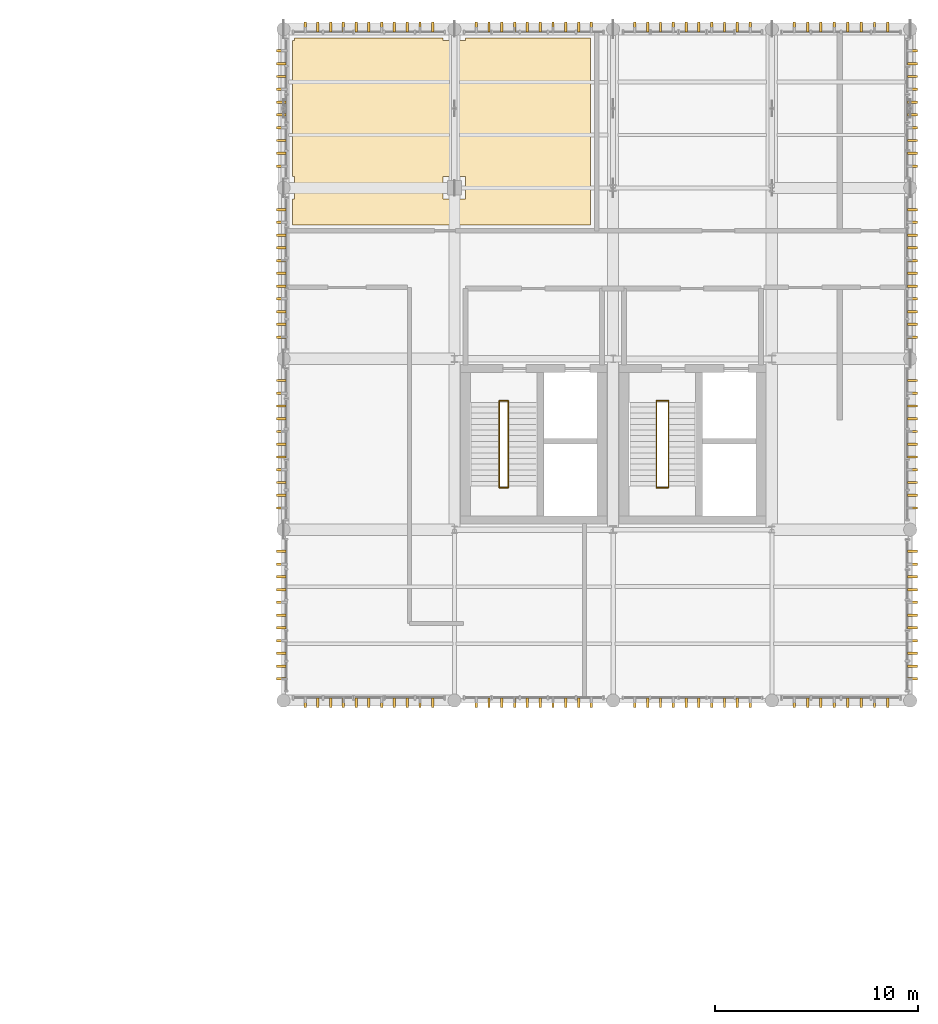
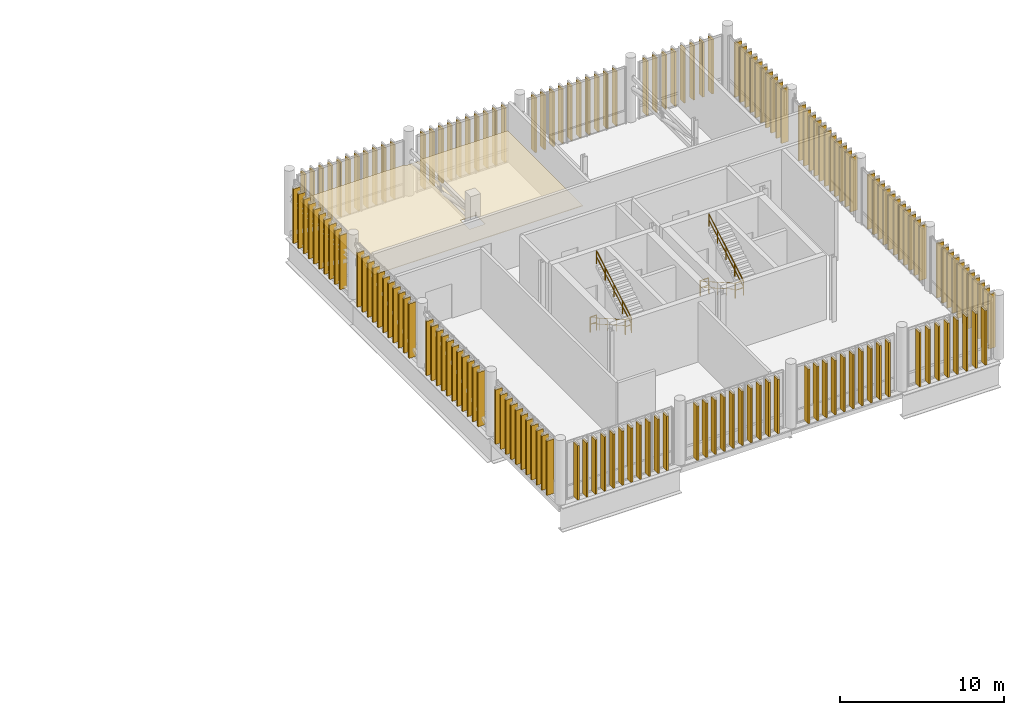
# One storey, part 79 of 81: 165 coverings, 8 railings.
"""IFC4 building model written with IfcOpenShell, lengths in metres."""

from ifc_helpers import new_model, si_unit, direction, frame, frame_2d, origin_with_axes, origin_2d_with_axis, place, context, subcontext, project, spatial, polyline, rectangle, circle, outline, extrude, material, type_object, element, save


model = new_model("IFC4")

# Units and contexts
model_context = context("Model", 3, precision=1e-05, world=origin_with_axes(), true_north=direction((0.0, 1.0)))
body_context = subcontext(model_context, "Body", "Model", "MODEL_VIEW")
ifc_project = project(units=[si_unit("LENGTHUNIT", "METRE"), si_unit("AREAUNIT", "SQUARE_METRE"), si_unit("VOLUMEUNIT", "CUBIC_METRE"), si_unit("PLANEANGLEUNIT", "RADIAN"), si_unit("MASSUNIT", "GRAM", prefix="KILO"), si_unit("THERMODYNAMICTEMPERATUREUNIT", "KELVIN")], contexts=[model_context])

# Site, building, storey
site_placement = place(None, origin_with_axes())
site = spatial("IfcSite", under=ifc_project, at=site_placement, CompositionType="ELEMENT")
building_placement = place(site_placement, origin_with_axes())
building = spatial("IfcBuilding", under=site, at=building_placement, Name="Montbau Bow Law Courts", CompositionType="ELEMENT")
storey_placement = place(building_placement, frame((0.0, 0.0, 24.9), z_axis=(0.0, 0.0, 1.0), x_axis=(1.0, 0.0, 0.0)))
storey = spatial("IfcBuildingStorey", under=building, at=storey_placement, Name="L05", CompositionType="ELEMENT", Elevation=24.9)

# Coverings
ifc_material_1 = material(Name="Micro-Perforated White-Oak Acoustic Courtroom Ceiling", Category="wood")
covering_type_1 = type_object("IfcCoveringType", Name="CV-CLG-01", PredefinedType="CEILING", material=ifc_material_1)
covering_placement = place(None, frame((0.0, 0.0, 27.44), z_axis=(0.0, 0.0, 1.0), x_axis=(1.0, 0.0, 0.0)))
element("IfcCovering", 1, at=covering_placement, inside=storey, type_object=covering_type_1, Name="CLG-L05-01:cov_3543", PredefinedType="CEILING", context=body_context, shape_type="SweptSolid", body=[
    extrude(outline(polyline([(146.45, 110.56), (146.45, 110.45), (147.55, 110.45), (147.55, 110.56), (153.69, 110.56), (153.69, 101.38), (139.04, 101.38), (139.04, 102.65), (139.15, 102.65), (139.15, 103.75), (139.04, 103.75), (139.04, 110.45), (139.15, 110.45), (139.15, 110.56), (146.45, 110.56)]), holes=[polyline([(146.45, 102.65), (147.55, 102.65), (147.55, 103.75), (146.45, 103.75), (146.45, 102.65)])]), origin_with_axes(), (0.0, 0.0, 1.0), 0.04),
])
ifc_material_2 = material(Name="Freeze-Thaw Glazed Slate-Grey Ceramic Vertical Louvre", Category="masonry")
covering_type_2 = type_object("IfcCoveringType", Name="CV-LVR-SLT", PredefinedType="CLADDING", material=ifc_material_2)
for number, where, z_axis, x_axis, name in (
    (2, (139.667, 78.13, 24.9), (-1.0, 0.0, 0.0), (0.0, -1.0, 0.0), "CLV-L05-2902:cov_2947"),
    (3, (140.293, 78.13, 24.9), (-1.0, 0.0, 0.0), (0.0, -1.0, 0.0), "CLV-L05-2903:cov_2948"),
    (4, (140.92, 78.13, 24.9), (-1.0, 0.0, 0.0), (0.0, -1.0, 0.0), "CLV-L05-2904:cov_2949"),
    (5, (141.547, 78.13, 24.9), (-1.0, 0.0, 0.0), (0.0, -1.0, 0.0), "CLV-L05-2905:cov_2950"),
    (6, (142.173, 78.13, 24.9), (-1.0, 0.0, 0.0), (0.0, -1.0, 0.0), "CLV-L05-2906:cov_2951"),
    (7, (142.8, 78.13, 24.9), (-1.0, 0.0, 0.0), (0.0, -1.0, 0.0), "CLV-L05-2907:cov_2952"),
    (8, (143.427, 78.13, 24.9), (-1.0, 0.0, 0.0), (0.0, -1.0, 0.0), "CLV-L05-2908:cov_2953"),
    (9, (144.053, 78.13, 24.9), (-1.0, 0.0, 0.0), (0.0, -1.0, 0.0), "CLV-L05-2909:cov_2954"),
    (10, (144.68, 78.13, 24.9), (-1.0, 0.0, 0.0), (0.0, -1.0, 0.0), "CLV-L05-2910:cov_2955"),
    (11, (145.307, 78.13, 24.9), (-1.0, 0.0, 0.0), (0.0, -1.0, 0.0), "CLV-L05-2911:cov_2956"),
    (12, (145.933, 78.13, 24.9), (-1.0, 0.0, 0.0), (0.0, -1.0, 0.0), "CLV-L05-2912:cov_2957"),
    (13, (148.069, 78.13, 24.9), (-1.0, 0.0, 0.0), (0.0, -1.0, 0.0), "CLV-L05-2913:cov_2958"),
    (14, (148.698, 78.13, 24.9), (-1.0, 0.0, 0.0), (0.0, -1.0, 0.0), "CLV-L05-2914:cov_2959"),
    (15, (149.327, 78.13, 24.9), (-1.0, 0.0, 0.0), (0.0, -1.0, 0.0), "CLV-L05-2915:cov_2960"),
    (16, (149.956, 78.13, 24.9), (-1.0, 0.0, 0.0), (0.0, -1.0, 0.0), "CLV-L05-2916:cov_2961"),
    (17, (150.585, 78.13, 24.9), (-1.0, 0.0, 0.0), (0.0, -1.0, 0.0), "CLV-L05-2917:cov_2962"),
    (18, (151.215, 78.13, 24.9), (-1.0, 0.0, 0.0), (0.0, -1.0, 0.0), "CLV-L05-2918:cov_2963"),
    (19, (151.844, 78.13, 24.9), (-1.0, 0.0, 0.0), (0.0, -1.0, 0.0), "CLV-L05-2919:cov_2964"),
    (20, (152.473, 78.13, 24.9), (-1.0, 0.0, 0.0), (0.0, -1.0, 0.0), "CLV-L05-2920:cov_2965"),
    (21, (153.102, 78.13, 24.9), (-1.0, 0.0, 0.0), (0.0, -1.0, 0.0), "CLV-L05-2921:cov_2966"),
    (22, (153.731, 78.13, 24.9), (-1.0, 0.0, 0.0), (0.0, -1.0, 0.0), "CLV-L05-2922:cov_2967"),
    (23, (155.869, 78.13, 24.9), (-1.0, 0.0, 0.0), (0.0, -1.0, 0.0), "CLV-L05-2923:cov_2968"),
    (24, (156.498, 78.13, 24.9), (-1.0, 0.0, 0.0), (0.0, -1.0, 0.0), "CLV-L05-2924:cov_2969"),
    (25, (157.127, 78.13, 24.9), (-1.0, 0.0, 0.0), (0.0, -1.0, 0.0), "CLV-L05-2925:cov_2970"),
    (26, (157.756, 78.13, 24.9), (-1.0, 0.0, 0.0), (0.0, -1.0, 0.0), "CLV-L05-2926:cov_2971"),
    (27, (158.385, 78.13, 24.9), (-1.0, 0.0, 0.0), (0.0, -1.0, 0.0), "CLV-L05-2927:cov_2972"),
    (28, (159.015, 78.13, 24.9), (-1.0, 0.0, 0.0), (0.0, -1.0, 0.0), "CLV-L05-2928:cov_2973"),
    (29, (159.644, 78.13, 24.9), (-1.0, 0.0, 0.0), (0.0, -1.0, 0.0), "CLV-L05-2929:cov_2974"),
    (30, (160.273, 78.13, 24.9), (-1.0, 0.0, 0.0), (0.0, -1.0, 0.0), "CLV-L05-2930:cov_2975"),
    (31, (160.902, 78.13, 24.9), (-1.0, 0.0, 0.0), (0.0, -1.0, 0.0), "CLV-L05-2931:cov_2976"),
    (32, (161.531, 78.13, 24.9), (-1.0, 0.0, 0.0), (0.0, -1.0, 0.0), "CLV-L05-2932:cov_2977"),
    (33, (163.698, 78.13, 24.9), (-1.0, 0.0, 0.0), (0.0, -1.0, 0.0), "CLV-L05-2933:cov_2978"),
    (34, (164.356, 78.13, 24.9), (-1.0, 0.0, 0.0), (0.0, -1.0, 0.0), "CLV-L05-2934:cov_2979"),
    (35, (165.013, 78.13, 24.9), (-1.0, 0.0, 0.0), (0.0, -1.0, 0.0), "CLV-L05-2935:cov_2980"),
    (36, (165.671, 78.13, 24.9), (-1.0, 0.0, 0.0), (0.0, -1.0, 0.0), "CLV-L05-2936:cov_2981"),
    (37, (166.329, 78.13, 24.9), (-1.0, 0.0, 0.0), (0.0, -1.0, 0.0), "CLV-L05-2937:cov_2982"),
    (38, (166.987, 78.13, 24.9), (-1.0, 0.0, 0.0), (0.0, -1.0, 0.0), "CLV-L05-2938:cov_2983"),
    (39, (167.644, 78.13, 24.9), (-1.0, 0.0, 0.0), (0.0, -1.0, 0.0), "CLV-L05-2939:cov_2984"),
    (40, (168.302, 78.13, 24.9), (-1.0, 0.0, 0.0), (0.0, -1.0, 0.0), "CLV-L05-2940:cov_2985"),
    (41, (139.667, 110.87, 24.9), (1.0, 0.0, 0.0), (0.0, 1.0, 0.0), "CLV-L05-2941:cov_2986"),
    (42, (140.293, 110.87, 24.9), (1.0, 0.0, 0.0), (0.0, 1.0, 0.0), "CLV-L05-2942:cov_2987"),
    (43, (140.92, 110.87, 24.9), (1.0, 0.0, 0.0), (0.0, 1.0, 0.0), "CLV-L05-2943:cov_2988"),
    (44, (141.547, 110.87, 24.9), (1.0, 0.0, 0.0), (0.0, 1.0, 0.0), "CLV-L05-2944:cov_2989"),
    (45, (142.173, 110.87, 24.9), (1.0, 0.0, 0.0), (0.0, 1.0, 0.0), "CLV-L05-2945:cov_2990"),
    (46, (142.8, 110.87, 24.9), (1.0, 0.0, 0.0), (0.0, 1.0, 0.0), "CLV-L05-2946:cov_2991"),
    (47, (143.427, 110.87, 24.9), (1.0, 0.0, 0.0), (0.0, 1.0, 0.0), "CLV-L05-2947:cov_2992"),
    (48, (144.053, 110.87, 24.9), (1.0, 0.0, 0.0), (0.0, 1.0, 0.0), "CLV-L05-2948:cov_2993"),
    (49, (144.68, 110.87, 24.9), (1.0, 0.0, 0.0), (0.0, 1.0, 0.0), "CLV-L05-2949:cov_2994"),
    (50, (145.307, 110.87, 24.9), (1.0, 0.0, 0.0), (0.0, 1.0, 0.0), "CLV-L05-2950:cov_2995"),
    (51, (145.933, 110.87, 24.9), (1.0, 0.0, 0.0), (0.0, 1.0, 0.0), "CLV-L05-2951:cov_2996"),
    (52, (148.069, 110.87, 24.9), (1.0, 0.0, 0.0), (0.0, 1.0, 0.0), "CLV-L05-2952:cov_2997"),
    (53, (148.698, 110.87, 24.9), (1.0, 0.0, 0.0), (0.0, 1.0, 0.0), "CLV-L05-2953:cov_2998"),
    (54, (149.327, 110.87, 24.9), (1.0, 0.0, 0.0), (0.0, 1.0, 0.0), "CLV-L05-2954:cov_2999"),
    (55, (149.956, 110.87, 24.9), (1.0, 0.0, 0.0), (0.0, 1.0, 0.0), "CLV-L05-2955:cov_3000"),
    (56, (150.585, 110.87, 24.9), (1.0, 0.0, 0.0), (0.0, 1.0, 0.0), "CLV-L05-2956:cov_3001"),
    (57, (151.215, 110.87, 24.9), (1.0, 0.0, 0.0), (0.0, 1.0, 0.0), "CLV-L05-2957:cov_3002"),
    (58, (151.844, 110.87, 24.9), (1.0, 0.0, 0.0), (0.0, 1.0, 0.0), "CLV-L05-2958:cov_3003"),
    (59, (152.473, 110.87, 24.9), (1.0, 0.0, 0.0), (0.0, 1.0, 0.0), "CLV-L05-2959:cov_3004"),
    (60, (153.102, 110.87, 24.9), (1.0, 0.0, 0.0), (0.0, 1.0, 0.0), "CLV-L05-2960:cov_3005"),
    (61, (153.731, 110.87, 24.9), (1.0, 0.0, 0.0), (0.0, 1.0, 0.0), "CLV-L05-2961:cov_3006"),
    (62, (155.869, 110.87, 24.9), (1.0, 0.0, 0.0), (0.0, 1.0, 0.0), "CLV-L05-2962:cov_3007"),
    (63, (156.498, 110.87, 24.9), (1.0, 0.0, 0.0), (0.0, 1.0, 0.0), "CLV-L05-2963:cov_3008"),
    (64, (157.127, 110.87, 24.9), (1.0, 0.0, 0.0), (0.0, 1.0, 0.0), "CLV-L05-2964:cov_3009"),
    (65, (157.756, 110.87, 24.9), (1.0, 0.0, 0.0), (0.0, 1.0, 0.0), "CLV-L05-2965:cov_3010"),
    (66, (158.385, 110.87, 24.9), (1.0, 0.0, 0.0), (0.0, 1.0, 0.0), "CLV-L05-2966:cov_3011"),
    (67, (159.015, 110.87, 24.9), (1.0, 0.0, 0.0), (0.0, 1.0, 0.0), "CLV-L05-2967:cov_3012"),
    (68, (159.644, 110.87, 24.9), (1.0, 0.0, 0.0), (0.0, 1.0, 0.0), "CLV-L05-2968:cov_3013"),
    (69, (160.273, 110.87, 24.9), (1.0, 0.0, 0.0), (0.0, 1.0, 0.0), "CLV-L05-2969:cov_3014"),
    (70, (160.902, 110.87, 24.9), (1.0, 0.0, 0.0), (0.0, 1.0, 0.0), "CLV-L05-2970:cov_3015"),
    (71, (161.531, 110.87, 24.9), (1.0, 0.0, 0.0), (0.0, 1.0, 0.0), "CLV-L05-2971:cov_3016"),
    (72, (163.698, 110.87, 24.9), (1.0, 0.0, 0.0), (0.0, 1.0, 0.0), "CLV-L05-2972:cov_3017"),
    (73, (164.356, 110.87, 24.9), (1.0, 0.0, 0.0), (0.0, 1.0, 0.0), "CLV-L05-2973:cov_3018"),
    (74, (165.013, 110.87, 24.9), (1.0, 0.0, 0.0), (0.0, 1.0, 0.0), "CLV-L05-2974:cov_3019"),
    (75, (165.671, 110.87, 24.9), (1.0, 0.0, 0.0), (0.0, 1.0, 0.0), "CLV-L05-2975:cov_3020"),
    (76, (166.329, 110.87, 24.9), (1.0, 0.0, 0.0), (0.0, 1.0, 0.0), "CLV-L05-2976:cov_3021"),
    (77, (166.987, 110.87, 24.9), (1.0, 0.0, 0.0), (0.0, 1.0, 0.0), "CLV-L05-2977:cov_3022"),
    (78, (167.644, 110.87, 24.9), (1.0, 0.0, 0.0), (0.0, 1.0, 0.0), "CLV-L05-2978:cov_3023"),
    (79, (168.302, 110.87, 24.9), (1.0, 0.0, 0.0), (0.0, 1.0, 0.0), "CLV-L05-2979:cov_3024"),
    (80, (138.73, 79.067, 24.9), (0.0, 1.0, 0.0), (-1.0, 0.0, 0.0), "CLV-L05-2980:cov_3025"),
    (81, (138.73, 79.693, 24.9), (0.0, 1.0, 0.0), (-1.0, 0.0, 0.0), "CLV-L05-2981:cov_3026"),
    (82, (138.73, 80.32, 24.9), (0.0, 1.0, 0.0), (-1.0, 0.0, 0.0), "CLV-L05-2982:cov_3027"),
    (83, (138.73, 80.947, 24.9), (0.0, 1.0, 0.0), (-1.0, 0.0, 0.0), "CLV-L05-2983:cov_3028"),
    (84, (138.73, 81.573, 24.9), (0.0, 1.0, 0.0), (-1.0, 0.0, 0.0), "CLV-L05-2984:cov_3029"),
    (85, (138.73, 82.2, 24.9), (0.0, 1.0, 0.0), (-1.0, 0.0, 0.0), "CLV-L05-2985:cov_3030"),
    (86, (138.73, 82.827, 24.9), (0.0, 1.0, 0.0), (-1.0, 0.0, 0.0), "CLV-L05-2986:cov_3031"),
    (87, (138.73, 83.453, 24.9), (0.0, 1.0, 0.0), (-1.0, 0.0, 0.0), "CLV-L05-2987:cov_3032"),
    (88, (138.73, 84.08, 24.9), (0.0, 1.0, 0.0), (-1.0, 0.0, 0.0), "CLV-L05-2988:cov_3033"),
    (89, (138.73, 84.707, 24.9), (0.0, 1.0, 0.0), (-1.0, 0.0, 0.0), "CLV-L05-2989:cov_3034"),
    (90, (138.73, 85.333, 24.9), (0.0, 1.0, 0.0), (-1.0, 0.0, 0.0), "CLV-L05-2990:cov_3035"),
    (91, (138.73, 87.467, 24.9), (0.0, 1.0, 0.0), (-1.0, 0.0, 0.0), "CLV-L05-2991:cov_3036"),
    (92, (138.73, 88.093, 24.9), (0.0, 1.0, 0.0), (-1.0, 0.0, 0.0), "CLV-L05-2992:cov_3037"),
    (93, (138.73, 88.72, 24.9), (0.0, 1.0, 0.0), (-1.0, 0.0, 0.0), "CLV-L05-2993:cov_3038"),
    (94, (138.73, 89.347, 24.9), (0.0, 1.0, 0.0), (-1.0, 0.0, 0.0), "CLV-L05-2994:cov_3039"),
    (95, (138.73, 89.973, 24.9), (0.0, 1.0, 0.0), (-1.0, 0.0, 0.0), "CLV-L05-2995:cov_3040"),
    (96, (138.73, 90.6, 24.9), (0.0, 1.0, 0.0), (-1.0, 0.0, 0.0), "CLV-L05-2996:cov_3041"),
    (97, (138.73, 91.227, 24.9), (0.0, 1.0, 0.0), (-1.0, 0.0, 0.0), "CLV-L05-2997:cov_3042"),
    (98, (138.73, 91.853, 24.9), (0.0, 1.0, 0.0), (-1.0, 0.0, 0.0), "CLV-L05-2998:cov_3043"),
    (99, (138.73, 92.48, 24.9), (0.0, 1.0, 0.0), (-1.0, 0.0, 0.0), "CLV-L05-2999:cov_3044"),
    (100, (138.73, 93.107, 24.9), (0.0, 1.0, 0.0), (-1.0, 0.0, 0.0), "CLV-L05-3000:cov_3045"),
    (101, (138.73, 93.733, 24.9), (0.0, 1.0, 0.0), (-1.0, 0.0, 0.0), "CLV-L05-3001:cov_3046"),
    (102, (138.73, 95.867, 24.9), (0.0, 1.0, 0.0), (-1.0, 0.0, 0.0), "CLV-L05-3002:cov_3047"),
    (103, (138.73, 96.493, 24.9), (0.0, 1.0, 0.0), (-1.0, 0.0, 0.0), "CLV-L05-3003:cov_3048"),
    (104, (138.73, 97.12, 24.9), (0.0, 1.0, 0.0), (-1.0, 0.0, 0.0), "CLV-L05-3004:cov_3049"),
    (105, (138.73, 97.747, 24.9), (0.0, 1.0, 0.0), (-1.0, 0.0, 0.0), "CLV-L05-3005:cov_3050"),
    (106, (138.73, 98.373, 24.9), (0.0, 1.0, 0.0), (-1.0, 0.0, 0.0), "CLV-L05-3006:cov_3051"),
    (107, (138.73, 99.0, 24.9), (0.0, 1.0, 0.0), (-1.0, 0.0, 0.0), "CLV-L05-3007:cov_3052"),
    (108, (138.73, 99.627, 24.9), (0.0, 1.0, 0.0), (-1.0, 0.0, 0.0), "CLV-L05-3008:cov_3053"),
    (109, (138.73, 100.253, 24.9), (0.0, 1.0, 0.0), (-1.0, 0.0, 0.0), "CLV-L05-3009:cov_3054"),
    (110, (138.73, 100.88, 24.9), (0.0, 1.0, 0.0), (-1.0, 0.0, 0.0), "CLV-L05-3010:cov_3055"),
    (111, (138.73, 101.507, 24.9), (0.0, 1.0, 0.0), (-1.0, 0.0, 0.0), "CLV-L05-3011:cov_3056"),
    (112, (138.73, 102.133, 24.9), (0.0, 1.0, 0.0), (-1.0, 0.0, 0.0), "CLV-L05-3012:cov_3057"),
    (113, (138.73, 104.269, 24.9), (0.0, 1.0, 0.0), (-1.0, 0.0, 0.0), "CLV-L05-3013:cov_3058"),
    (114, (138.73, 104.898, 24.9), (0.0, 1.0, 0.0), (-1.0, 0.0, 0.0), "CLV-L05-3014:cov_3059"),
    (115, (138.73, 105.527, 24.9), (0.0, 1.0, 0.0), (-1.0, 0.0, 0.0), "CLV-L05-3015:cov_3060"),
    (116, (138.73, 106.156, 24.9), (0.0, 1.0, 0.0), (-1.0, 0.0, 0.0), "CLV-L05-3016:cov_3061"),
    (117, (138.73, 106.785, 24.9), (0.0, 1.0, 0.0), (-1.0, 0.0, 0.0), "CLV-L05-3017:cov_3062"),
    (118, (138.73, 107.415, 24.9), (0.0, 1.0, 0.0), (-1.0, 0.0, 0.0), "CLV-L05-3018:cov_3063"),
    (119, (138.73, 108.044, 24.9), (0.0, 1.0, 0.0), (-1.0, 0.0, 0.0), "CLV-L05-3019:cov_3064"),
    (120, (138.73, 108.673, 24.9), (0.0, 1.0, 0.0), (-1.0, 0.0, 0.0), "CLV-L05-3020:cov_3065"),
    (121, (138.73, 109.302, 24.9), (0.0, 1.0, 0.0), (-1.0, 0.0, 0.0), "CLV-L05-3021:cov_3066"),
    (122, (138.73, 109.931, 24.9), (0.0, 1.0, 0.0), (-1.0, 0.0, 0.0), "CLV-L05-3022:cov_3067"),
    (123, (169.27, 79.067, 24.9), (0.0, -1.0, 0.0), (1.0, 0.0, 0.0), "CLV-L05-3023:cov_3068"),
    (124, (169.27, 79.693, 24.9), (0.0, -1.0, 0.0), (1.0, 0.0, 0.0), "CLV-L05-3024:cov_3069"),
    (125, (169.27, 80.32, 24.9), (0.0, -1.0, 0.0), (1.0, 0.0, 0.0), "CLV-L05-3025:cov_3070"),
    (126, (169.27, 80.947, 24.9), (0.0, -1.0, 0.0), (1.0, 0.0, 0.0), "CLV-L05-3026:cov_3071"),
    (127, (169.27, 81.573, 24.9), (0.0, -1.0, 0.0), (1.0, 0.0, 0.0), "CLV-L05-3027:cov_3072"),
    (128, (169.27, 82.2, 24.9), (0.0, -1.0, 0.0), (1.0, 0.0, 0.0), "CLV-L05-3028:cov_3073"),
    (129, (169.27, 82.827, 24.9), (0.0, -1.0, 0.0), (1.0, 0.0, 0.0), "CLV-L05-3029:cov_3074"),
    (130, (169.27, 83.453, 24.9), (0.0, -1.0, 0.0), (1.0, 0.0, 0.0), "CLV-L05-3030:cov_3075"),
    (131, (169.27, 84.08, 24.9), (0.0, -1.0, 0.0), (1.0, 0.0, 0.0), "CLV-L05-3031:cov_3076"),
    (132, (169.27, 84.707, 24.9), (0.0, -1.0, 0.0), (1.0, 0.0, 0.0), "CLV-L05-3032:cov_3077"),
    (133, (169.27, 85.333, 24.9), (0.0, -1.0, 0.0), (1.0, 0.0, 0.0), "CLV-L05-3033:cov_3078"),
    (134, (169.27, 87.467, 24.9), (0.0, -1.0, 0.0), (1.0, 0.0, 0.0), "CLV-L05-3034:cov_3079"),
    (135, (169.27, 88.093, 24.9), (0.0, -1.0, 0.0), (1.0, 0.0, 0.0), "CLV-L05-3035:cov_3080"),
    (136, (169.27, 88.72, 24.9), (0.0, -1.0, 0.0), (1.0, 0.0, 0.0), "CLV-L05-3036:cov_3081"),
    (137, (169.27, 89.347, 24.9), (0.0, -1.0, 0.0), (1.0, 0.0, 0.0), "CLV-L05-3037:cov_3082"),
    (138, (169.27, 89.973, 24.9), (0.0, -1.0, 0.0), (1.0, 0.0, 0.0), "CLV-L05-3038:cov_3083"),
    (139, (169.27, 90.6, 24.9), (0.0, -1.0, 0.0), (1.0, 0.0, 0.0), "CLV-L05-3039:cov_3084"),
    (140, (169.27, 91.227, 24.9), (0.0, -1.0, 0.0), (1.0, 0.0, 0.0), "CLV-L05-3040:cov_3085"),
    (141, (169.27, 91.853, 24.9), (0.0, -1.0, 0.0), (1.0, 0.0, 0.0), "CLV-L05-3041:cov_3086"),
    (142, (169.27, 92.48, 24.9), (0.0, -1.0, 0.0), (1.0, 0.0, 0.0), "CLV-L05-3042:cov_3087"),
    (143, (169.27, 93.107, 24.9), (0.0, -1.0, 0.0), (1.0, 0.0, 0.0), "CLV-L05-3043:cov_3088"),
    (144, (169.27, 93.733, 24.9), (0.0, -1.0, 0.0), (1.0, 0.0, 0.0), "CLV-L05-3044:cov_3089"),
    (145, (169.27, 95.867, 24.9), (0.0, -1.0, 0.0), (1.0, 0.0, 0.0), "CLV-L05-3045:cov_3090"),
    (146, (169.27, 96.493, 24.9), (0.0, -1.0, 0.0), (1.0, 0.0, 0.0), "CLV-L05-3046:cov_3091"),
    (147, (169.27, 97.12, 24.9), (0.0, -1.0, 0.0), (1.0, 0.0, 0.0), "CLV-L05-3047:cov_3092"),
    (148, (169.27, 97.747, 24.9), (0.0, -1.0, 0.0), (1.0, 0.0, 0.0), "CLV-L05-3048:cov_3093"),
    (149, (169.27, 98.373, 24.9), (0.0, -1.0, 0.0), (1.0, 0.0, 0.0), "CLV-L05-3049:cov_3094"),
    (150, (169.27, 99.0, 24.9), (0.0, -1.0, 0.0), (1.0, 0.0, 0.0), "CLV-L05-3050:cov_3095"),
    (151, (169.27, 99.627, 24.9), (0.0, -1.0, 0.0), (1.0, 0.0, 0.0), "CLV-L05-3051:cov_3096"),
    (152, (169.27, 100.253, 24.9), (0.0, -1.0, 0.0), (1.0, 0.0, 0.0), "CLV-L05-3052:cov_3097"),
    (153, (169.27, 100.88, 24.9), (0.0, -1.0, 0.0), (1.0, 0.0, 0.0), "CLV-L05-3053:cov_3098"),
    (154, (169.27, 101.507, 24.9), (0.0, -1.0, 0.0), (1.0, 0.0, 0.0), "CLV-L05-3054:cov_3099"),
    (155, (169.27, 102.133, 24.9), (0.0, -1.0, 0.0), (1.0, 0.0, 0.0), "CLV-L05-3055:cov_3100"),
    (156, (169.27, 104.269, 24.9), (0.0, -1.0, 0.0), (1.0, 0.0, 0.0), "CLV-L05-3056:cov_3101"),
    (157, (169.27, 104.898, 24.9), (0.0, -1.0, 0.0), (1.0, 0.0, 0.0), "CLV-L05-3057:cov_3102"),
    (158, (169.27, 105.527, 24.9), (0.0, -1.0, 0.0), (1.0, 0.0, 0.0), "CLV-L05-3058:cov_3103"),
    (159, (169.27, 106.156, 24.9), (0.0, -1.0, 0.0), (1.0, 0.0, 0.0), "CLV-L05-3059:cov_3104"),
    (160, (169.27, 106.785, 24.9), (0.0, -1.0, 0.0), (1.0, 0.0, 0.0), "CLV-L05-3060:cov_3105"),
    (161, (169.27, 107.415, 24.9), (0.0, -1.0, 0.0), (1.0, 0.0, 0.0), "CLV-L05-3061:cov_3106"),
    (162, (169.27, 108.044, 24.9), (0.0, -1.0, 0.0), (1.0, 0.0, 0.0), "CLV-L05-3062:cov_3107"),
    (163, (169.27, 108.673, 24.9), (0.0, -1.0, 0.0), (1.0, 0.0, 0.0), "CLV-L05-3063:cov_3108"),
    (164, (169.27, 109.302, 24.9), (0.0, -1.0, 0.0), (1.0, 0.0, 0.0), "CLV-L05-3064:cov_3109"),
    (165, (169.27, 109.931, 24.9), (0.0, -1.0, 0.0), (1.0, 0.0, 0.0), "CLV-L05-3065:cov_3110"),
):
    element("IfcCovering", number, at=place(None, frame(where, z_axis=z_axis, x_axis=x_axis)), inside=storey, type_object=covering_type_2, Name=name, PredefinedType="CLADDING", context=body_context, shape_type="SweptSolid", body=[
        extrude(rectangle(XDim=0.48, YDim=4.04, at=frame_2d((0.24, 2.02), x_axis=(1.0, 0.0))), frame((0.0, 0.0, -0.06), z_axis=(0.0, 0.0, 1.0), x_axis=(1.0, 0.0, 0.0)), (0.0, 0.0, 1.0), 0.12),
    ])

# Railings
ifc_material_3 = material(Name="Architectural Bronze-Finished Steel Stair Guard", Category="steel")
railing_type_1 = type_object("IfcRailingType", Name="RL-GRD-1100", PredefinedType="GUARDRAIL", material=ifc_material_3)
railing_1_placement = place(None, origin_with_axes())
element("IfcRailing", 166, at=railing_1_placement, inside=storey, type_object=railing_type_1, Name="SG-ST-P2-L05-ML:rlg_0184", PredefinedType="GUARDRAIL", context=body_context, shape_type="SweptSolid", body=[
    extrude(circle(Radius=0.0225, at=origin_2d_with_axis()), frame((149.21, 88.47, 28.402), z_axis=(1.0, 0.0, 0.0), x_axis=(0.0, 0.0, 1.0)), (0.0, 0.0, 1.0), 0.43),
    extrude(circle(Radius=0.02025, at=origin_2d_with_axis()), frame((149.21, 88.47, 27.872), z_axis=(1.0, 0.0, 0.0), x_axis=(0.0, 0.0, 1.0)), (0.0, 0.0, 1.0), 0.43),
    extrude(circle(Radius=0.02025, at=origin_2d_with_axis()), frame((149.21, 88.47, 27.3), z_axis=(0.0, 0.0, 1.0), x_axis=(1.0, 0.0, 0.0)), (0.0, 0.0, 1.0), 1.07525),
    extrude(circle(Radius=0.02025, at=origin_2d_with_axis()), frame((149.64, 88.47, 27.3), z_axis=(0.0, 0.0, 1.0), x_axis=(1.0, 0.0, 0.0)), (0.0, 0.0, 1.0), 1.07525),
])
railing_2_placement = place(None, origin_with_axes())
element("IfcRailing", 167, at=railing_2_placement, inside=storey, type_object=railing_type_1, Name="SG-ST-P2-L05-BL:rlg_0185", PredefinedType="GUARDRAIL", context=body_context, shape_type="SweptSolid", body=[
    extrude(circle(Radius=0.0225, at=origin_2d_with_axis()), frame((149.21, 92.73, 26.002), z_axis=(1.0, 0.0, 0.0), x_axis=(0.0, 0.0, 1.0)), (0.0, 0.0, 1.0), 0.43),
    extrude(circle(Radius=0.02025, at=origin_2d_with_axis()), frame((149.21, 92.73, 25.472), z_axis=(1.0, 0.0, 0.0), x_axis=(0.0, 0.0, 1.0)), (0.0, 0.0, 1.0), 0.43),
    extrude(circle(Radius=0.02025, at=origin_2d_with_axis()), frame((149.21, 92.73, 24.9), z_axis=(0.0, 0.0, 1.0), x_axis=(1.0, 0.0, 0.0)), (0.0, 0.0, 1.0), 1.07525),
    extrude(circle(Radius=0.02025, at=origin_2d_with_axis()), frame((149.64, 92.73, 24.9), z_axis=(0.0, 0.0, 1.0), x_axis=(1.0, 0.0, 0.0)), (0.0, 0.0, 1.0), 1.07525),
])
railing_3_placement = place(None, origin_with_axes())
element("IfcRailing", 168, at=railing_3_placement, inside=storey, type_object=railing_type_1, Name="SG-ST-J2-L05-ML:rlg_0227", PredefinedType="GUARDRAIL", context=body_context, shape_type="SweptSolid", body=[
    extrude(circle(Radius=0.0225, at=origin_2d_with_axis()), frame((156.93, 88.47, 28.402), z_axis=(1.0, 0.0, 0.0), x_axis=(0.0, 0.0, 1.0)), (0.0, 0.0, 1.0), 0.59),
    extrude(circle(Radius=0.02025, at=origin_2d_with_axis()), frame((156.93, 88.47, 27.872), z_axis=(1.0, 0.0, 0.0), x_axis=(0.0, 0.0, 1.0)), (0.0, 0.0, 1.0), 0.59),
    extrude(circle(Radius=0.02025, at=origin_2d_with_axis()), frame((156.93, 88.47, 27.3), z_axis=(0.0, 0.0, 1.0), x_axis=(1.0, 0.0, 0.0)), (0.0, 0.0, 1.0), 1.07525),
    extrude(circle(Radius=0.02025, at=origin_2d_with_axis()), frame((157.52, 88.47, 27.3), z_axis=(0.0, 0.0, 1.0), x_axis=(1.0, 0.0, 0.0)), (0.0, 0.0, 1.0), 1.07525),
])
railing_4_placement = place(None, origin_with_axes())
element("IfcRailing", 169, at=railing_4_placement, inside=storey, type_object=railing_type_1, Name="SG-ST-J2-L05-BL:rlg_0228", PredefinedType="GUARDRAIL", context=body_context, shape_type="SweptSolid", body=[
    extrude(circle(Radius=0.0225, at=origin_2d_with_axis()), frame((156.93, 92.73, 26.002), z_axis=(1.0, 0.0, 0.0), x_axis=(0.0, 0.0, 1.0)), (0.0, 0.0, 1.0), 0.59),
    extrude(circle(Radius=0.02025, at=origin_2d_with_axis()), frame((156.93, 92.73, 25.472), z_axis=(1.0, 0.0, 0.0), x_axis=(0.0, 0.0, 1.0)), (0.0, 0.0, 1.0), 0.59),
    extrude(circle(Radius=0.02025, at=origin_2d_with_axis()), frame((156.93, 92.73, 24.9), z_axis=(0.0, 0.0, 1.0), x_axis=(1.0, 0.0, 0.0)), (0.0, 0.0, 1.0), 1.07525),
    extrude(circle(Radius=0.02025, at=origin_2d_with_axis()), frame((157.52, 92.73, 24.9), z_axis=(0.0, 0.0, 1.0), x_axis=(1.0, 0.0, 0.0)), (0.0, 0.0, 1.0), 1.07525),
])
ifc_material_4 = material(Name="White-Oak and Stainless Continuous Stair Handrail", Category="steel")
railing_type_2 = type_object("IfcRailingType", Name="RL-HND-0920", PredefinedType="HANDRAIL", material=ifc_material_4)
railing_5_placement = place(None, origin_with_axes())
element("IfcRailing", 170, at=railing_5_placement, inside=storey, type_object=railing_type_2, Name="HR-ST-P2-L05-1:rlg_0186", PredefinedType="HANDRAIL", context=body_context, shape_type="SweptSolid", body=[
    extrude(circle(Radius=0.021, at=origin_2d_with_axis()), frame((149.21, 92.7, 25.982), z_axis=(0.0, -0.868243142, 0.496138938), x_axis=(0.0, 0.496138938, 0.868243142)), (0.0, 0.0, 1.0), 4.837355),
    extrude(circle(Radius=0.0189, at=origin_2d_with_axis()), frame((149.21, 92.7, 25.5384), z_axis=(0.0, -0.868243142, 0.496138938), x_axis=(0.0, 0.496138938, 0.868243142)), (0.0, 0.0, 1.0), 4.837355),
    extrude(circle(Radius=0.0189, at=origin_2d_with_axis()), frame((149.21, 92.7, 25.06), z_axis=(0.0, 0.0, 1.0), x_axis=(1.0, 0.0, 0.0)), (0.0, 0.0, 1.0), 0.8969),
    extrude(circle(Radius=0.0189, at=origin_2d_with_axis()), frame((149.21, 91.65, 25.66), z_axis=(0.0, 0.0, 1.0), x_axis=(1.0, 0.0, 0.0)), (0.0, 0.0, 1.0), 0.8969),
    extrude(circle(Radius=0.0189, at=origin_2d_with_axis()), frame((149.21, 90.6, 26.26), z_axis=(0.0, 0.0, 1.0), x_axis=(1.0, 0.0, 0.0)), (0.0, 0.0, 1.0), 0.8969),
    extrude(circle(Radius=0.0189, at=origin_2d_with_axis()), frame((149.21, 89.55, 26.86), z_axis=(0.0, 0.0, 1.0), x_axis=(1.0, 0.0, 0.0)), (0.0, 0.0, 1.0), 0.8969),
    extrude(circle(Radius=0.0189, at=origin_2d_with_axis()), frame((149.21, 88.5, 27.46), z_axis=(0.0, 0.0, 1.0), x_axis=(1.0, 0.0, 0.0)), (0.0, 0.0, 1.0), 0.8969),
])
railing_6_placement = place(None, origin_with_axes())
element("IfcRailing", 171, at=railing_6_placement, inside=storey, type_object=railing_type_2, Name="HR-ST-P2-L05-2:rlg_0187", PredefinedType="HANDRAIL", context=body_context, shape_type="SweptSolid", body=[
    extrude(circle(Radius=0.021, at=origin_2d_with_axis()), frame((149.64, 88.5, 28.382), z_axis=(0.0, 0.868243142, 0.496138938), x_axis=(0.0, -0.496138938, 0.868243142)), (0.0, 0.0, 1.0), 4.837355),
    extrude(circle(Radius=0.0189, at=origin_2d_with_axis()), frame((149.64, 88.5, 27.9384), z_axis=(0.0, 0.868243142, 0.496138938), x_axis=(0.0, -0.496138938, 0.868243142)), (0.0, 0.0, 1.0), 4.837355),
    extrude(circle(Radius=0.0189, at=origin_2d_with_axis()), frame((149.64, 88.5, 27.46), z_axis=(0.0, 0.0, 1.0), x_axis=(1.0, 0.0, 0.0)), (0.0, 0.0, 1.0), 0.8969),
    extrude(circle(Radius=0.0189, at=origin_2d_with_axis()), frame((149.64, 89.55, 28.06), z_axis=(0.0, 0.0, 1.0), x_axis=(1.0, 0.0, 0.0)), (0.0, 0.0, 1.0), 0.8969),
    extrude(circle(Radius=0.0189, at=origin_2d_with_axis()), frame((149.64, 90.6, 28.66), z_axis=(0.0, 0.0, 1.0), x_axis=(1.0, 0.0, 0.0)), (0.0, 0.0, 1.0), 0.8969),
    extrude(circle(Radius=0.0189, at=origin_2d_with_axis()), frame((149.64, 91.65, 29.26), z_axis=(0.0, 0.0, 1.0), x_axis=(1.0, 0.0, 0.0)), (0.0, 0.0, 1.0), 0.8969),
    extrude(circle(Radius=0.0189, at=origin_2d_with_axis()), frame((149.64, 92.7, 29.86), z_axis=(0.0, 0.0, 1.0), x_axis=(1.0, 0.0, 0.0)), (0.0, 0.0, 1.0), 0.8969),
])
railing_7_placement = place(None, origin_with_axes())
element("IfcRailing", 172, at=railing_7_placement, inside=storey, type_object=railing_type_2, Name="HR-ST-J2-L05-1:rlg_0229", PredefinedType="HANDRAIL", context=body_context, shape_type="SweptSolid", body=[
    extrude(circle(Radius=0.021, at=origin_2d_with_axis()), frame((156.93, 92.7, 25.982), z_axis=(0.0, -0.868243142, 0.496138938), x_axis=(0.0, 0.496138938, 0.868243142)), (0.0, 0.0, 1.0), 4.837355),
    extrude(circle(Radius=0.0189, at=origin_2d_with_axis()), frame((156.93, 92.7, 25.5384), z_axis=(0.0, -0.868243142, 0.496138938), x_axis=(0.0, 0.496138938, 0.868243142)), (0.0, 0.0, 1.0), 4.837355),
    extrude(circle(Radius=0.0189, at=origin_2d_with_axis()), frame((156.93, 92.7, 25.06), z_axis=(0.0, 0.0, 1.0), x_axis=(1.0, 0.0, 0.0)), (0.0, 0.0, 1.0), 0.8969),
    extrude(circle(Radius=0.0189, at=origin_2d_with_axis()), frame((156.93, 91.65, 25.66), z_axis=(0.0, 0.0, 1.0), x_axis=(1.0, 0.0, 0.0)), (0.0, 0.0, 1.0), 0.8969),
    extrude(circle(Radius=0.0189, at=origin_2d_with_axis()), frame((156.93, 90.6, 26.26), z_axis=(0.0, 0.0, 1.0), x_axis=(1.0, 0.0, 0.0)), (0.0, 0.0, 1.0), 0.8969),
    extrude(circle(Radius=0.0189, at=origin_2d_with_axis()), frame((156.93, 89.55, 26.86), z_axis=(0.0, 0.0, 1.0), x_axis=(1.0, 0.0, 0.0)), (0.0, 0.0, 1.0), 0.8969),
    extrude(circle(Radius=0.0189, at=origin_2d_with_axis()), frame((156.93, 88.5, 27.46), z_axis=(0.0, 0.0, 1.0), x_axis=(1.0, 0.0, 0.0)), (0.0, 0.0, 1.0), 0.8969),
])
railing_8_placement = place(None, origin_with_axes())
element("IfcRailing", 173, at=railing_8_placement, inside=storey, type_object=railing_type_2, Name="HR-ST-J2-L05-2:rlg_0230", PredefinedType="HANDRAIL", context=body_context, shape_type="SweptSolid", body=[
    extrude(circle(Radius=0.021, at=origin_2d_with_axis()), frame((157.52, 88.5, 28.382), z_axis=(0.0, 0.868243142, 0.496138938), x_axis=(0.0, -0.496138938, 0.868243142)), (0.0, 0.0, 1.0), 4.837355),
    extrude(circle(Radius=0.0189, at=origin_2d_with_axis()), frame((157.52, 88.5, 27.9384), z_axis=(0.0, 0.868243142, 0.496138938), x_axis=(0.0, -0.496138938, 0.868243142)), (0.0, 0.0, 1.0), 4.837355),
    extrude(circle(Radius=0.0189, at=origin_2d_with_axis()), frame((157.52, 88.5, 27.46), z_axis=(0.0, 0.0, 1.0), x_axis=(1.0, 0.0, 0.0)), (0.0, 0.0, 1.0), 0.8969),
    extrude(circle(Radius=0.0189, at=origin_2d_with_axis()), frame((157.52, 89.55, 28.06), z_axis=(0.0, 0.0, 1.0), x_axis=(1.0, 0.0, 0.0)), (0.0, 0.0, 1.0), 0.8969),
    extrude(circle(Radius=0.0189, at=origin_2d_with_axis()), frame((157.52, 90.6, 28.66), z_axis=(0.0, 0.0, 1.0), x_axis=(1.0, 0.0, 0.0)), (0.0, 0.0, 1.0), 0.8969),
    extrude(circle(Radius=0.0189, at=origin_2d_with_axis()), frame((157.52, 91.65, 29.26), z_axis=(0.0, 0.0, 1.0), x_axis=(1.0, 0.0, 0.0)), (0.0, 0.0, 1.0), 0.8969),
    extrude(circle(Radius=0.0189, at=origin_2d_with_axis()), frame((157.52, 92.7, 29.86), z_axis=(0.0, 0.0, 1.0), x_axis=(1.0, 0.0, 0.0)), (0.0, 0.0, 1.0), 0.8969),
])

save(model, "model.ifc")
